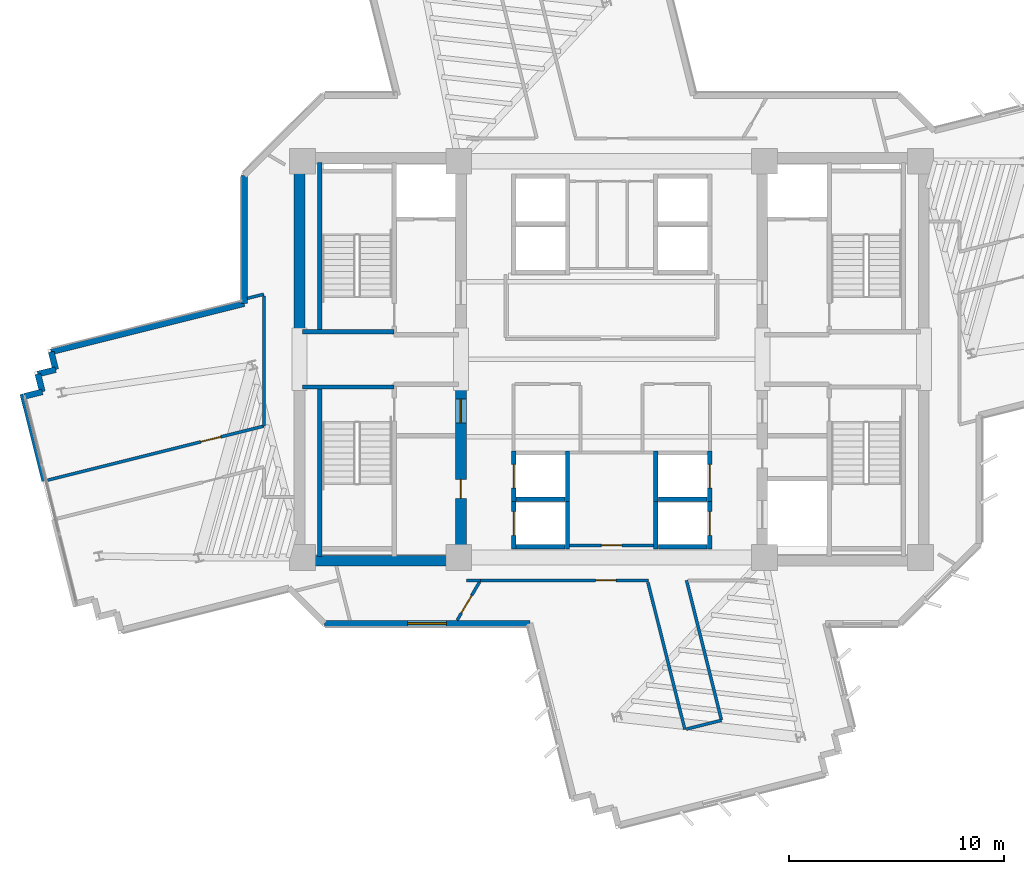
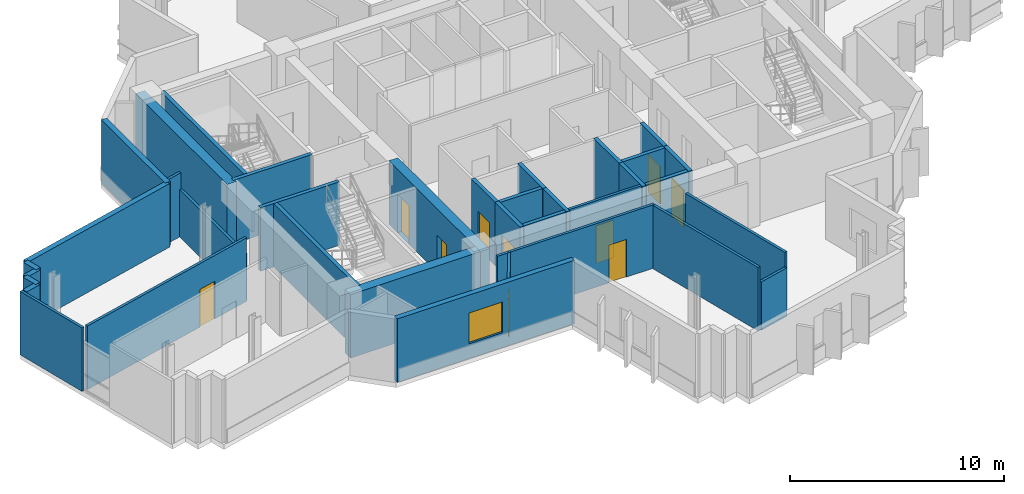
# One storey, part 6 of 13: 37 walls, 10 doors, 1 window, 11 openings.
"""IFC4 building model written with IfcOpenShell, lengths in metres."""

from ifc_helpers import new_model, si_unit, direction, frame, frame_2d, origin, place, context, subcontext, project, spatial, rectangle, extrude, source, transform, mapped, material, layer, layer_set, type_object, element, fill, save


model = new_model("IFC4")

# Units and contexts
model_context = context("Model", 3, precision=1e-05, world=origin(), true_north=direction((0.0, 1.0)))
body_context = subcontext(model_context, "Body", "Model", "MODEL_VIEW")
ifc_project = project(units=[si_unit("LENGTHUNIT", "METRE"), si_unit("AREAUNIT", "SQUARE_METRE"), si_unit("VOLUMEUNIT", "CUBIC_METRE"), si_unit("PLANEANGLEUNIT", "RADIAN"), si_unit("MASSUNIT", "GRAM", prefix="KILO")], contexts=[model_context])

# Site, building, storey
site_placement = place(None, origin())
site = spatial("IfcSite", under=ifc_project, at=site_placement, CompositionType="ELEMENT")
building_placement = place(site_placement, origin())
building = spatial("IfcBuilding", under=site, at=building_placement, Name="Zahravan Cultural Tower", CompositionType="ELEMENT")
storey_placement = place(building_placement, frame((0.0, 0.0, 186.300048828125)))
storey = spatial("IfcBuildingStorey", under=building, at=storey_placement, Name="L43", CompositionType="ELEMENT", Elevation=186.300048828125)

# Wall, openings, doors
ifc_material_1 = material(Name="Concrete C60/75", Category="concrete")
ifc_layer_1 = layer(ifc_material_1, 0.5)
ifc_layer_set_1 = layer_set([ifc_layer_1], Name="Concrete C60/75")
wall_type_1 = type_object("IfcWallType", Name="CW-SHEAR-500-C60", PredefinedType="SHEAR", material=ifc_layer_set_1)
wall_1_placement = place(storey_placement, frame((29.0, 17.39990234375, 0.0), z_axis=(0.0, 0.0, 1.0), x_axis=(0.0, 1.0, 0.0)))
wall_1 = element("IfcWall", 1, at=wall_1_placement, inside=storey, type_object=wall_type_1, Name="L43 Core Shear Wall CW-W-ES-L43", PredefinedType="SHEAR", context=body_context, shape_type="SweptSolid", body=[
    extrude(rectangle(XDim=8.550048828125, YDim=0.5, at=frame_2d((4.27490234375, 0.0))), origin(), (0.0, 0.0, 1.0), 3.619873046875),
])
opening_1_placement = place(wall_1_placement, frame((6.64990234375, 0.0, 0.0)))
opening_1 = element("IfcOpeningElement", 2, at=opening_1_placement, cuts=wall_1, Name="Opening D-L43-07", PredefinedType="OPENING", context=body_context, shape_type="SweptSolid", body=[
    extrude(rectangle(XDim=1.10009765625, YDim=2.199951171875, at=frame_2d((0.550048828125, 1.10009765625))), frame((0.0, 0.260009765625, 0.0), z_axis=(0.0, -1.0, 0.0), x_axis=(1.0, 0.0, 0.0)), (0.0, 0.0, 1.0), 0.52001953125),
])
opening_2_placement = place(wall_1_placement, frame((3.14990234375, 0.0, 0.0)))
opening_2 = element("IfcOpeningElement", 3, at=opening_2_placement, cuts=wall_1, Name="Opening D-L43-09", PredefinedType="OPENING", context=body_context, shape_type="SweptSolid", body=[
    extrude(rectangle(XDim=0.8798828125, YDim=2.10009765625, at=frame_2d((0.43994140625, 1.050048828125))), frame((0.0, 0.260009765625, 0.0), z_axis=(0.0, -1.0, 0.0), x_axis=(1.0, 0.0, 0.0)), (0.0, 0.0, 1.0), 0.52001953125),
])
ifc_material_2 = material(Name="Steel ASTM A572 Grade 50", Category="steel")
door_type_1 = type_object("IfcDoorType", Name="DR-LOBBY-1100", OperationType="NOTDEFINED", PredefinedType="DOOR", material=ifc_material_2)
shared_shape_1 = source(origin(), body_context, "Body", "SweptSolid", [
    extrude(rectangle(XDim=1.10009765625, YDim=2.199951171875, at=frame_2d((0.550048828125, 1.10009765625))), frame((0.0, 0.02490234375, 0.0), z_axis=(0.0, -1.0, 0.0), x_axis=(1.0, 0.0, 0.0)), (0.0, 0.0, 1.0), 0.050048828125),
])
door_1_placement = place(opening_1_placement, origin())
door_1 = element("IfcDoor", 4, at=door_1_placement, inside=storey, type_object=door_type_1, Name="L43 Door D-L43-07", OperationType="SINGLE_SWING_LEFT", OverallHeight=2.199951171875, OverallWidth=1.10009765625, PredefinedType="DOOR", context=body_context, shape_type="MappedRepresentation", body=[
    mapped(shared_shape_1, transform((0.0, 0.0, 0.0), x_axis=(1.0, 0.0, 0.0), y_axis=(0.0, 1.0, 0.0), z_axis=(0.0, 0.0, 1.0), scale=1.0)),
])
fill(opening_1, door_1)
door_type_2 = type_object("IfcDoorType", Name="DR-SVC-880", OperationType="NOTDEFINED", PredefinedType="DOOR", material=ifc_material_2)
shared_shape_2 = source(origin(), body_context, "Body", "SweptSolid", [
    extrude(rectangle(XDim=0.8798828125, YDim=2.10009765625, at=frame_2d((0.43994140625, 1.050048828125))), frame((0.0, 0.02490234375, 0.0), z_axis=(0.0, -1.0, 0.0), x_axis=(1.0, 0.0, 0.0)), (0.0, 0.0, 1.0), 0.050048828125),
])
door_2_placement = place(opening_2_placement, origin())
door_2 = element("IfcDoor", 5, at=door_2_placement, inside=storey, type_object=door_type_2, Name="L43 Door D-L43-09", OperationType="SINGLE_SWING_LEFT", OverallHeight=2.10009765625, OverallWidth=0.8798828125, PredefinedType="DOOR", context=body_context, shape_type="MappedRepresentation", body=[
    mapped(shared_shape_2, transform((0.0, 0.0, 0.0), x_axis=(1.0, 0.0, 0.0), y_axis=(0.0, 1.0, 0.0), z_axis=(0.0, 0.0, 1.0), scale=1.0)),
])
fill(opening_2, door_2)

# Wall, opening, window
ifc_material_3 = material(Name="Precast concrete C40/50", Category="concrete")
ifc_layer_2 = layer(ifc_material_3, 0.280029296875)
ifc_layer_set_2 = layer_set([ifc_layer_2], Name="Precast concrete C40/50")
wall_type_2 = type_object("IfcWallType", Name="EW-TC-280", PredefinedType="SOLIDWALL", material=ifc_layer_set_2)
wall_2_placement = place(storey_placement, frame((32.204833984375, 14.739990234375, 0.0), z_axis=(0.0, 0.0, 1.0), x_axis=(-1.0, 0.0, 0.0)))
wall_2 = element("IfcWall", 6, at=wall_2_placement, inside=storey, type_object=wall_type_2, Name="L43 Exterior Masonry Frame Wall 25", PredefinedType="SOLIDWALL", context=body_context, shape_type="SweptSolid", body=[
    extrude(rectangle(XDim=9.546875, YDim=0.280029296875, at=frame_2d((4.7734375, 0.0))), origin(), (0.0, 0.0, 1.0), 3.619873046875),
])
opening_3_placement = place(wall_2_placement, frame((3.873046875, 0.0, 0.85009765625)))
opening_3 = element("IfcOpeningElement", 7, at=opening_3_placement, cuts=wall_2, Name="Opening WN-02", PredefinedType="OPENING", context=body_context, shape_type="SweptSolid", body=[
    extrude(rectangle(XDim=1.800048828125, YDim=1.75, at=frame_2d((0.89990234375, 0.875))), frame((0.0, 0.14990234375, 0.0), z_axis=(0.0, -1.0, 0.0), x_axis=(1.0, 0.0, 0.0)), (0.0, 0.0, 1.0), 0.300048828125),
])
ifc_material_4 = material(Name="Low-E solar-control double glazing", Category="glass")
window_type = type_object("IfcWindowType", Name="WN-REC-1800X1750", PartitioningType="DOUBLE_PANEL_VERTICAL", PredefinedType="WINDOW", material=ifc_material_4)
shared_shape_3 = source(origin(), body_context, "Body", "SweptSolid", [
    extrude(rectangle(XDim=1.800048828125, YDim=1.75, at=frame_2d((0.89990234375, 0.875))), frame((0.0, 0.030029296875, 0.0), z_axis=(0.0, -1.0, 0.0), x_axis=(1.0, 0.0, 0.0)), (0.0, 0.0, 1.0), 0.06005859375),
])
window_placement = place(opening_3_placement, origin())
window = element("IfcWindow", 8, at=window_placement, inside=storey, type_object=window_type, Name="L43 Recessed Solar Window 08", OverallHeight=1.75, OverallWidth=1.800048828125, PartitioningType="DOUBLE_PANEL_VERTICAL", PredefinedType="WINDOW", context=body_context, shape_type="MappedRepresentation", body=[
    mapped(shared_shape_3, transform((0.0, 0.0, 0.0), x_axis=(1.0, 0.0, 0.0), y_axis=(0.0, 1.0, 0.0), z_axis=(0.0, 0.0, 1.0), scale=1.0)),
])
fill(opening_3, window)

# Wall, opening, door
ifc_material_5 = material(Name="Gypsum plasterboard partition")
ifc_layer_3 = layer(ifc_material_5, 0.139892578125)
ifc_layer_set_3 = layer_set([ifc_layer_3], Name="Gypsum plasterboard partition")
wall_type_3 = type_object("IfcWallType", Name="W-PART-140", PredefinedType="PARTITIONING", material=ifc_layer_set_3)
wall_3_placement = place(storey_placement, frame((29.8681640625, 16.6650390625, 0.0), z_axis=(0.0, 0.0, 1.0), x_axis=(-0.505011455642, -0.863112640198, 0.0)))
wall_3 = element("IfcWall", 9, at=wall_3_placement, inside=storey, type_object=wall_type_3, Name="L43 Interior Wall 072", PredefinedType="PARTITIONING", context=body_context, shape_type="SweptSolid", body=[
    extrude(rectangle(XDim=2.062255859375, YDim=0.139892578125, at=frame_2d((1.03125, 0.0))), origin(), (0.0, 0.0, 1.0), 3.619873046875),
])
opening_4_placement = place(wall_3_placement, frame((0.722900390625, 0.0, 0.0)))
opening_4 = element("IfcOpeningElement", 10, at=opening_4_placement, cuts=wall_3, Name="Opening D-L43-25", PredefinedType="OPENING", context=body_context, shape_type="SweptSolid", body=[
    extrude(rectangle(XDim=0.949951171875, YDim=2.14990234375, at=frame_2d((0.47509765625, 1.074951171875))), frame((0.0, 0.079833984375, 0.0), z_axis=(0.0, -1.0, 0.0), x_axis=(1.0, 0.0, 0.0)), (0.0, 0.0, 1.0), 0.159912109375),
])
ifc_material_6 = material(Name="Anodised bronze-aluminium mullion", Category="aluminium")
door_type_3 = type_object("IfcDoorType", Name="DR-ROOM-950", OperationType="NOTDEFINED", PredefinedType="DOOR", material=ifc_material_6)
shared_shape_4 = source(origin(), body_context, "Body", "SweptSolid", [
    extrude(rectangle(XDim=0.949951171875, YDim=2.14990234375, at=frame_2d((0.47509765625, 1.074951171875))), frame((0.0, 0.02490234375, 0.0), z_axis=(0.0, -1.0, 0.0), x_axis=(1.0, 0.0, 0.0)), (0.0, 0.0, 1.0), 0.050048828125),
])
door_3_placement = place(opening_4_placement, origin())
door_3 = element("IfcDoor", 11, at=door_3_placement, inside=storey, type_object=door_type_3, Name="L43 Door D-L43-25", OperationType="SINGLE_SWING_LEFT", OverallHeight=2.14990234375, OverallWidth=0.949951171875, PredefinedType="DOOR", context=body_context, shape_type="MappedRepresentation", body=[
    mapped(shared_shape_4, transform((0.0, 0.0, 0.0), x_axis=(1.0, 0.0, 0.0), y_axis=(0.0, 1.0, 0.0), z_axis=(0.0, 0.0, 1.0), scale=1.0)),
])
fill(opening_4, door_3)

wall_4_placement = place(storey_placement, frame((37.945068359375, 18.360107421875, 0.0), z_axis=(0.0, 0.0, 1.0), x_axis=(-1.0, 0.0, 0.0)))
wall_4 = element("IfcWall", 12, at=wall_4_placement, inside=storey, type_object=wall_type_3, Name="L43 Interior Wall 075", PredefinedType="PARTITIONING", context=body_context, shape_type="SweptSolid", body=[
    extrude(rectangle(XDim=3.89013671875, YDim=0.139892578125, at=frame_2d((1.945068359375, 0.0))), origin(), (0.0, 0.0, 1.0), 3.619873046875),
])
opening_5_placement = place(wall_4_placement, frame((1.469970703125, 0.0, 0.0)))
opening_5 = element("IfcOpeningElement", 13, at=opening_5_placement, cuts=wall_4, Name="Opening D-L43-17", PredefinedType="OPENING", context=body_context, shape_type="SweptSolid", body=[
    extrude(rectangle(XDim=0.949951171875, YDim=2.14990234375, at=frame_2d((0.47509765625, 1.074951171875))), frame((0.0, 0.079833984375, 0.0), z_axis=(0.0, -1.0, 0.0), x_axis=(1.0, 0.0, 0.0)), (0.0, 0.0, 1.0), 0.159912109375),
])
door_4_placement = place(opening_5_placement, origin())
door_4 = element("IfcDoor", 14, at=door_4_placement, inside=storey, type_object=door_type_3, Name="L43 Door D-L43-17", OperationType="SINGLE_SWING_LEFT", OverallHeight=2.14990234375, OverallWidth=0.949951171875, PredefinedType="DOOR", context=body_context, shape_type="MappedRepresentation", body=[
    mapped(shared_shape_4, transform((0.0, 0.0, 0.0), x_axis=(1.0, 0.0, 0.0), y_axis=(0.0, 1.0, 0.0), z_axis=(0.0, 0.0, 1.0), scale=1.0)),
])
fill(opening_5, door_4)

wall_5_placement = place(storey_placement, frame((19.85009765625, 23.90380859375, 0.0), z_axis=(0.0, 0.0, 1.0), x_axis=(-0.97004665335, -0.24291869077, 0.0)))
wall_5 = element("IfcWall", 15, at=wall_5_placement, inside=storey, type_object=wall_type_3, Name="L43 Interior Wall 096", PredefinedType="PARTITIONING", context=body_context, shape_type="SweptSolid", body=[
    extrude(rectangle(XDim=10.3466796875, YDim=0.139892578125, at=frame_2d((5.17333984375, 0.0))), origin(), (0.0, 0.0, 1.0), 3.619873046875),
])
opening_6_placement = place(wall_5_placement, frame((2.0673828125, 0.0, 0.0)))
opening_6 = element("IfcOpeningElement", 16, at=opening_6_placement, cuts=wall_5, Name="Opening D-L43-21", PredefinedType="OPENING", context=body_context, shape_type="SweptSolid", body=[
    extrude(rectangle(XDim=0.949951171875, YDim=2.14990234375, at=frame_2d((0.47509765625, 1.074951171875))), frame((0.0, 0.079833984375, 0.0), z_axis=(0.0, -1.0, 0.0), x_axis=(1.0, 0.0, 0.0)), (0.0, 0.0, 1.0), 0.159912109375),
])
door_5_placement = place(opening_6_placement, origin())
door_5 = element("IfcDoor", 17, at=door_5_placement, inside=storey, type_object=door_type_3, Name="L43 Door D-L43-21", OperationType="SINGLE_SWING_LEFT", OverallHeight=2.14990234375, OverallWidth=0.949951171875, PredefinedType="DOOR", context=body_context, shape_type="MappedRepresentation", body=[
    mapped(shared_shape_4, transform((0.0, 0.0, 0.0), x_axis=(1.0, 0.0, 0.0), y_axis=(0.0, 1.0, 0.0), z_axis=(0.0, 0.0, 1.0), scale=1.0)),
])
fill(opening_6, door_5)

wall_6_placement = place(storey_placement, frame((29.912109375, 16.739990234375, 0.0), z_axis=(0.0, 0.0, 1.0), x_axis=(1.0, 0.0, 0.0)))
wall_6 = element("IfcWall", 18, at=wall_6_placement, inside=storey, type_object=wall_type_3, Name="L43 Interior Wall 103", PredefinedType="PARTITIONING", context=body_context, shape_type="SweptSolid", body=[
    extrude(rectangle(XDim=7.806396484375, YDim=0.139892578125, at=frame_2d((3.9033203125, 0.0))), origin(), (0.0, 0.0, 1.0), 3.619873046875),
])
opening_7_placement = place(wall_6_placement, frame((5.34814453125, 0.0, 0.0)))
opening_7 = element("IfcOpeningElement", 19, at=opening_7_placement, cuts=wall_6, Name="Opening D-L43-23", PredefinedType="OPENING", context=body_context, shape_type="SweptSolid", body=[
    extrude(rectangle(XDim=0.949951171875, YDim=2.14990234375, at=frame_2d((0.47509765625, 1.074951171875))), frame((0.0, 0.079833984375, 0.0), z_axis=(0.0, -1.0, 0.0), x_axis=(1.0, 0.0, 0.0)), (0.0, 0.0, 1.0), 0.159912109375),
])
door_6_placement = place(opening_7_placement, origin())
door_6 = element("IfcDoor", 20, at=door_6_placement, inside=storey, type_object=door_type_3, Name="L43 Door D-L43-23", OperationType="SINGLE_SWING_LEFT", OverallHeight=2.14990234375, OverallWidth=0.949951171875, PredefinedType="DOOR", context=body_context, shape_type="MappedRepresentation", body=[
    mapped(shared_shape_4, transform((0.0, 0.0, 0.0), x_axis=(1.0, 0.0, 0.0), y_axis=(0.0, 1.0, 0.0), z_axis=(0.0, 0.0, 1.0), scale=1.0)),
])
fill(opening_7, door_6)

ifc_material_7 = material(Name="Concrete C45/55", Category="concrete")
ifc_layer_4 = layer(ifc_material_7, 0.199951171875)
ifc_layer_set_4 = layer_set([ifc_layer_4], Name="Concrete C45/55")
wall_type_4 = type_object("IfcWallType", Name="W-SHAFT-200", PredefinedType="SOLIDWALL", material=ifc_layer_set_4)
wall_7_placement = place(storey_placement, frame((31.449951171875, 20.39990234375, 0.0), z_axis=(0.0, 0.0, 1.0), x_axis=(0.0, 1.0, 0.0)))
wall_7 = element("IfcWall", 21, at=wall_7_placement, inside=storey, type_object=wall_type_4, Name="L43 Interior Wall 040", PredefinedType="SOLIDWALL", context=body_context, shape_type="SweptSolid", body=[
    extrude(rectangle(XDim=2.35009765625, YDim=0.199951171875, at=frame_2d((1.175048828125, 0.0))), origin(), (0.0, 0.0, 1.0), 3.619873046875),
])
opening_8_placement = place(wall_7_placement, frame((0.625, 0.0, 0.0)))
opening_8 = element("IfcOpeningElement", 22, at=opening_8_placement, cuts=wall_7, Name="Opening LD-L43-04", PredefinedType="OPENING", context=body_context, shape_type="SweptSolid", body=[
    extrude(rectangle(XDim=1.10009765625, YDim=2.14990234375, at=frame_2d((0.550048828125, 1.074951171875))), frame((0.0, 0.10986328125, 0.0), z_axis=(0.0, -1.0, 0.0), x_axis=(1.0, 0.0, 0.0)), (0.0, 0.0, 1.0), 0.219970703125),
])
door_type_4 = type_object("IfcDoorType", Name="DR-LIFT-1100", OperationType="DOUBLE_DOOR_SLIDING", PredefinedType="DOOR", material=ifc_material_2)
shared_shape_5 = source(origin(), body_context, "Body", "SweptSolid", [
    extrude(rectangle(XDim=1.10009765625, YDim=2.14990234375, at=frame_2d((0.550048828125, 1.074951171875))), frame((0.0, 0.02490234375, 0.0), z_axis=(0.0, -1.0, 0.0), x_axis=(1.0, 0.0, 0.0)), (0.0, 0.0, 1.0), 0.050048828125),
])
door_7_placement = place(opening_8_placement, origin())
door_7 = element("IfcDoor", 23, at=door_7_placement, inside=storey, type_object=door_type_4, Name="L43 Door LD-L43-04", OperationType="DOUBLE_DOOR_SLIDING", OverallHeight=2.14990234375, OverallWidth=1.10009765625, PredefinedType="DOOR", context=body_context, shape_type="MappedRepresentation", body=[
    mapped(shared_shape_5, transform((0.0, 0.0, 0.0), x_axis=(1.0, 0.0, 0.0), y_axis=(0.0, 1.0, 0.0), z_axis=(0.0, 0.0, 1.0), scale=1.0)),
])
fill(opening_8, door_7)

wall_8_placement = place(storey_placement, frame((31.449951171875, 18.199951171875, 0.0), z_axis=(0.0, 0.0, 1.0), x_axis=(0.0, 1.0, 0.0)))
wall_8 = element("IfcWall", 24, at=wall_8_placement, inside=storey, type_object=wall_type_4, Name="L43 Interior Wall 044", PredefinedType="SOLIDWALL", context=body_context, shape_type="SweptSolid", body=[
    extrude(rectangle(XDim=2.35009765625, YDim=0.199951171875, at=frame_2d((1.175048828125, 0.0))), origin(), (0.0, 0.0, 1.0), 3.619873046875),
])
opening_9_placement = place(wall_8_placement, frame((0.625, 0.0, 0.0)))
opening_9 = element("IfcOpeningElement", 25, at=opening_9_placement, cuts=wall_8, Name="Opening LD-L43-05", PredefinedType="OPENING", context=body_context, shape_type="SweptSolid", body=[
    extrude(rectangle(XDim=1.10009765625, YDim=2.14990234375, at=frame_2d((0.550048828125, 1.074951171875))), frame((0.0, 0.10986328125, 0.0), z_axis=(0.0, -1.0, 0.0), x_axis=(1.0, 0.0, 0.0)), (0.0, 0.0, 1.0), 0.219970703125),
])
door_8_placement = place(opening_9_placement, origin())
door_8 = element("IfcDoor", 26, at=door_8_placement, inside=storey, type_object=door_type_4, Name="L43 Door LD-L43-05", OperationType="DOUBLE_DOOR_SLIDING", OverallHeight=2.14990234375, OverallWidth=1.10009765625, PredefinedType="DOOR", context=body_context, shape_type="MappedRepresentation", body=[
    mapped(shared_shape_5, transform((0.0, 0.0, 0.0), x_axis=(1.0, 0.0, 0.0), y_axis=(0.0, 1.0, 0.0), z_axis=(0.0, 0.0, 1.0), scale=1.0)),
])
fill(opening_9, door_8)

wall_9_placement = place(storey_placement, frame((40.550048828125, 20.39990234375, 0.0), z_axis=(0.0, 0.0, 1.0), x_axis=(0.0, 1.0, 0.0)))
wall_9 = element("IfcWall", 27, at=wall_9_placement, inside=storey, type_object=wall_type_4, Name="L43 Interior Wall 048", PredefinedType="SOLIDWALL", context=body_context, shape_type="SweptSolid", body=[
    extrude(rectangle(XDim=2.35009765625, YDim=0.199951171875, at=frame_2d((1.175048828125, 0.0))), origin(), (0.0, 0.0, 1.0), 3.619873046875),
])
opening_10_placement = place(wall_9_placement, frame((0.625, 0.0, 0.0)))
opening_10 = element("IfcOpeningElement", 28, at=opening_10_placement, cuts=wall_9, Name="Opening LD-L43-06", PredefinedType="OPENING", context=body_context, shape_type="SweptSolid", body=[
    extrude(rectangle(XDim=1.10009765625, YDim=2.14990234375, at=frame_2d((0.550048828125, 1.074951171875))), frame((0.0, 0.10986328125, 0.0), z_axis=(0.0, -1.0, 0.0), x_axis=(1.0, 0.0, 0.0)), (0.0, 0.0, 1.0), 0.219970703125),
])
door_9_placement = place(opening_10_placement, origin())
door_9 = element("IfcDoor", 29, at=door_9_placement, inside=storey, type_object=door_type_4, Name="L43 Door LD-L43-06", OperationType="DOUBLE_DOOR_SLIDING", OverallHeight=2.14990234375, OverallWidth=1.10009765625, PredefinedType="DOOR", context=body_context, shape_type="MappedRepresentation", body=[
    mapped(shared_shape_5, transform((0.0, 0.0, 0.0), x_axis=(1.0, 0.0, 0.0), y_axis=(0.0, 1.0, 0.0), z_axis=(0.0, 0.0, 1.0), scale=1.0)),
])
fill(opening_10, door_9)

wall_10_placement = place(storey_placement, frame((40.550048828125, 18.199951171875, 0.0), z_axis=(0.0, 0.0, 1.0), x_axis=(0.0, 1.0, 0.0)))
wall_10 = element("IfcWall", 30, at=wall_10_placement, inside=storey, type_object=wall_type_4, Name="L43 Interior Wall 052", PredefinedType="SOLIDWALL", context=body_context, shape_type="SweptSolid", body=[
    extrude(rectangle(XDim=2.35009765625, YDim=0.199951171875, at=frame_2d((1.175048828125, 0.0))), origin(), (0.0, 0.0, 1.0), 3.619873046875),
])
opening_11_placement = place(wall_10_placement, frame((0.625, 0.0, 0.0)))
opening_11 = element("IfcOpeningElement", 31, at=opening_11_placement, cuts=wall_10, Name="Opening LD-L43-07", PredefinedType="OPENING", context=body_context, shape_type="SweptSolid", body=[
    extrude(rectangle(XDim=1.10009765625, YDim=2.14990234375, at=frame_2d((0.550048828125, 1.074951171875))), frame((0.0, 0.10986328125, 0.0), z_axis=(0.0, -1.0, 0.0), x_axis=(1.0, 0.0, 0.0)), (0.0, 0.0, 1.0), 0.219970703125),
])
door_10_placement = place(opening_11_placement, origin())
door_10 = element("IfcDoor", 32, at=door_10_placement, inside=storey, type_object=door_type_4, Name="L43 Door LD-L43-07", OperationType="DOUBLE_DOOR_SLIDING", OverallHeight=2.14990234375, OverallWidth=1.10009765625, PredefinedType="DOOR", context=body_context, shape_type="MappedRepresentation", body=[
    mapped(shared_shape_5, transform((0.0, 0.0, 0.0), x_axis=(1.0, 0.0, 0.0), y_axis=(0.0, 1.0, 0.0), z_axis=(0.0, 0.0, 1.0), scale=1.0)),
])
fill(opening_11, door_10)

# Walls
shared_shape_6 = source(origin(), body_context, "Body", "SweptSolid", [
    extrude(rectangle(XDim=8.550048828125, YDim=0.5, at=frame_2d((4.27490234375, 0.0))), origin(), (0.0, 0.0, 1.0), 3.619873046875),
])
wall_11_placement = place(storey_placement, frame((21.5, 28.050048828125, 0.0), z_axis=(0.0, 0.0, 1.0), x_axis=(0.0, 1.0, 0.0)))
element("IfcWall", 33, at=wall_11_placement, inside=storey, type_object=wall_type_1, Name="L43 Core Shear Wall CW-W-WN-L43", PredefinedType="SHEAR", context=body_context, shape_type="MappedRepresentation", body=[
    mapped(shared_shape_6, transform((0.0, 0.0, 0.0), x_axis=(1.0, 0.0, 0.0), y_axis=(0.0, 1.0, 0.0), z_axis=(0.0, 0.0, 1.0), scale=1.0)),
])
shared_shape_7 = source(origin(), body_context, "Body", "SweptSolid", [
    extrude(rectangle(XDim=7.0, YDim=0.5, at=frame_2d((3.5, 0.0))), origin(), (0.0, 0.0, 1.0), 3.619873046875),
])
wall_12_placement = place(storey_placement, frame((21.75, 17.64990234375, 0.0), z_axis=(0.0, 0.0, 1.0), x_axis=(1.0, 0.0, 0.0)))
element("IfcWall", 34, at=wall_12_placement, inside=storey, type_object=wall_type_1, Name="L43 Core Shear Wall CW-W-S-L43", PredefinedType="SHEAR", context=body_context, shape_type="MappedRepresentation", body=[
    mapped(shared_shape_7, transform((0.0, 0.0, 0.0), x_axis=(1.0, 0.0, 0.0), y_axis=(0.0, 1.0, 0.0), z_axis=(0.0, 0.0, 1.0), scale=1.0)),
])
shared_shape_8 = source(origin(), body_context, "Body", "SweptSolid", [
    extrude(rectangle(XDim=0.85009765625, YDim=0.280029296875, at=frame_2d((0.425048828125, 0.0))), origin(), (0.0, 0.0, 1.0), 3.619873046875),
])
wall_13_placement = place(storey_placement, frame((9.357666015625, 26.317138671875, 0.0), z_axis=(0.0, 0.0, 1.0), x_axis=(0.970041063326, 0.242941012307, 0.0)))
element("IfcWall", 35, at=wall_13_placement, inside=storey, type_object=wall_type_2, Name="L43 Exterior Masonry Frame Wall 34", PredefinedType="SOLIDWALL", context=body_context, shape_type="MappedRepresentation", body=[
    mapped(shared_shape_8, transform((0.0, 0.0, 0.0), x_axis=(1.0, 0.0, 0.0), y_axis=(0.0, 1.0, 0.0), z_axis=(0.0, 0.0, 1.0), scale=1.0)),
])
shared_shape_9 = source(origin(), body_context, "Body", "SweptSolid", [
    extrude(rectangle(XDim=0.849853515625, YDim=0.280029296875, at=frame_2d((0.4248046875, 0.0))), origin(), (0.0, 0.0, 1.0), 3.619873046875),
])
for number, where, z_axis, x_axis, name in (
    (36, (8.73974609375, 25.2861328125, 0.0), (0.0, 0.0, 1.0), (0.970024107708, 0.243008704507, 0.0), "L43 Exterior Masonry Frame Wall 32"),
    (37, (9.564208984375, 25.49267578125, 0.0), (0.0, 0.0, 1.0), (-0.243008704507, 0.970024107708, 0.0), "L43 Exterior Masonry Frame Wall 33"),
    (38, (10.182373046875, 26.523681640625, 0.0), (0.0, 0.0, 1.0), (-0.243008704507, 0.970024107708, 0.0), "L43 Exterior Masonry Frame Wall 35"),
):
    element("IfcWall", number, at=place(storey_placement, frame(where, z_axis=z_axis, x_axis=x_axis)), inside=storey, type_object=wall_type_2, Name=name, PredefinedType="SOLIDWALL", context=body_context, shape_type="MappedRepresentation", body=[
        mapped(shared_shape_9, transform((0.0, 0.0, 0.0), x_axis=(1.0, 0.0, 0.0), y_axis=(0.0, 1.0, 0.0), z_axis=(0.0, 0.0, 1.0), scale=1.0)),
    ])
shared_shape_10 = source(origin(), body_context, "Body", "SweptSolid", [
    extrude(rectangle(XDim=5.948974609375, YDim=0.280029296875, at=frame_2d((2.974609375, 0.0))), origin(), (0.0, 0.0, 1.0), 3.619873046875),
])
wall_14_placement = place(storey_placement, frame((18.93994140625, 29.593017578125, 0.0), z_axis=(0.0, 0.0, 1.0), x_axis=(0.0, 1.0, 0.0)))
element("IfcWall", 39, at=wall_14_placement, inside=storey, type_object=wall_type_2, Name="L43 Exterior Masonry Frame Wall 37", PredefinedType="SOLIDWALL", context=body_context, shape_type="MappedRepresentation", body=[
    mapped(shared_shape_10, transform((0.0, 0.0, 0.0), x_axis=(1.0, 0.0, 0.0), y_axis=(0.0, 1.0, 0.0), z_axis=(0.0, 0.0, 1.0), scale=1.0)),
])
shared_shape_11 = source(origin(), body_context, "Body", "SweptSolid", [
    extrude(rectangle(XDim=9.240966796875, YDim=0.280029296875, at=frame_2d((4.62060546875, 0.0))), origin(), (0.0, 0.0, 1.0), 3.619873046875),
])
wall_15_placement = place(storey_placement, frame((9.975830078125, 27.34814453125, 0.0), z_axis=(0.0, 0.0, 1.0), x_axis=(0.970044513566, 0.242927235402, 0.0)))
element("IfcWall", 40, at=wall_15_placement, inside=storey, type_object=wall_type_2, Name="L43 Exterior Masonry Frame Wall 36", PredefinedType="SOLIDWALL", context=body_context, shape_type="MappedRepresentation", body=[
    mapped(shared_shape_11, transform((0.0, 0.0, 0.0), x_axis=(1.0, 0.0, 0.0), y_axis=(0.0, 1.0, 0.0), z_axis=(0.0, 0.0, 1.0), scale=1.0)),
])
shared_shape_12 = source(origin(), body_context, "Body", "SweptSolid", [
    extrude(rectangle(XDim=7.869873046875, YDim=0.199951171875, at=frame_2d((3.93505859375, 0.0))), origin(), (0.0, 0.0, 1.0), 3.619873046875),
])
for number, where, z_axis, x_axis, name in (
    (41, (22.449951171875, 17.85009765625, 0.0), (0.0, 0.0, 1.0), (0.0, 1.0, 0.0), "L43 Interior Wall 001"),
    (42, (22.449951171875, 28.280029296875, 0.0), (0.0, 0.0, 1.0), (0.0, 1.0, 0.0), "L43 Interior Wall 002"),
):
    element("IfcWall", number, at=place(storey_placement, frame(where, z_axis=z_axis, x_axis=x_axis)), inside=storey, type_object=wall_type_4, Name=name, PredefinedType="SOLIDWALL", context=body_context, shape_type="MappedRepresentation", body=[
        mapped(shared_shape_12, transform((0.0, 0.0, 0.0), x_axis=(1.0, 0.0, 0.0), y_axis=(0.0, 1.0, 0.0), z_axis=(0.0, 0.0, 1.0), scale=1.0)),
    ])
shared_shape_13 = source(origin(), body_context, "Body", "SweptSolid", [
    extrude(rectangle(XDim=4.25, YDim=0.199951171875, at=frame_2d((2.125, 0.0))), origin(), (0.0, 0.0, 1.0), 3.619873046875),
])
for number, where, z_axis, x_axis, name in (
    (43, (21.64990234375, 25.715087890625, 0.0), (0.0, 0.0, 1.0), (1.0, 0.0, 0.0), "L43 Interior Wall 009"),
    (44, (21.64990234375, 28.284912109375, 0.0), (0.0, 0.0, 1.0), (1.0, 0.0, 0.0), "L43 Interior Wall 011"),
):
    element("IfcWall", number, at=place(storey_placement, frame(where, z_axis=z_axis, x_axis=x_axis)), inside=storey, type_object=wall_type_4, Name=name, PredefinedType="SOLIDWALL", context=body_context, shape_type="MappedRepresentation", body=[
        mapped(shared_shape_13, transform((0.0, 0.0, 0.0), x_axis=(1.0, 0.0, 0.0), y_axis=(0.0, 1.0, 0.0), z_axis=(0.0, 0.0, 1.0), scale=1.0)),
    ])
shared_shape_14 = source(origin(), body_context, "Body", "SweptSolid", [
    extrude(rectangle(XDim=2.260009765625, YDim=0.199951171875, at=frame_2d((1.1298828125, 0.0))), origin(), (0.0, 0.0, 1.0), 3.619873046875),
])
for number, where, z_axis, x_axis, name in (
    (45, (31.570068359375, 20.5, 0.0), (0.0, 0.0, 1.0), (1.0, 0.0, 0.0), "L43 Interior Wall 042"),
    (46, (31.570068359375, 18.300048828125, 0.0), (0.0, 0.0, 1.0), (1.0, 0.0, 0.0), "L43 Interior Wall 046"),
    (47, (38.169921875, 20.5, 0.0), (0.0, 0.0, 1.0), (1.0, 0.0, 0.0), "L43 Interior Wall 049"),
    (48, (38.169921875, 18.300048828125, 0.0), (0.0, 0.0, 1.0), (1.0, 0.0, 0.0), "L43 Interior Wall 053"),
):
    element("IfcWall", number, at=place(storey_placement, frame(where, z_axis=z_axis, x_axis=x_axis)), inside=storey, type_object=wall_type_4, Name=name, PredefinedType="SOLIDWALL", context=body_context, shape_type="MappedRepresentation", body=[
        mapped(shared_shape_14, transform((0.0, 0.0, 0.0), x_axis=(1.0, 0.0, 0.0), y_axis=(0.0, 1.0, 0.0), z_axis=(0.0, 0.0, 1.0), scale=1.0)),
    ])
shared_shape_15 = source(origin(), body_context, "Body", "SweptSolid", [
    extrude(rectangle(XDim=2.35009765625, YDim=0.199951171875, at=frame_2d((1.175048828125, 0.0))), origin(), (0.0, 0.0, 1.0), 3.619873046875),
])
for number, where, z_axis, x_axis, name in (
    (49, (33.949951171875, 20.39990234375, 0.0), (0.0, 0.0, 1.0), (0.0, 1.0, 0.0), "L43 Interior Wall 041"),
    (50, (33.949951171875, 18.199951171875, 0.0), (0.0, 0.0, 1.0), (0.0, 1.0, 0.0), "L43 Interior Wall 045"),
    (51, (38.050048828125, 20.39990234375, 0.0), (0.0, 0.0, 1.0), (0.0, 1.0, 0.0), "L43 Interior Wall 047"),
    (52, (38.050048828125, 18.199951171875, 0.0), (0.0, 0.0, 1.0), (0.0, 1.0, 0.0), "L43 Interior Wall 051"),
):
    element("IfcWall", number, at=place(storey_placement, frame(where, z_axis=z_axis, x_axis=x_axis)), inside=storey, type_object=wall_type_4, Name=name, PredefinedType="SOLIDWALL", context=body_context, shape_type="MappedRepresentation", body=[
        mapped(shared_shape_15, transform((0.0, 0.0, 0.0), x_axis=(1.0, 0.0, 0.0), y_axis=(0.0, 1.0, 0.0), z_axis=(0.0, 0.0, 1.0), scale=1.0)),
    ])
shared_shape_16 = source(origin(), body_context, "Body", "SweptSolid", [
    extrude(rectangle(XDim=4.16015625, YDim=0.139892578125, at=frame_2d((2.080078125, 0.0))), origin(), (0.0, 0.0, 1.0), 3.619873046875),
])
wall_16_placement = place(storey_placement, frame((9.604736328125, 21.337890625, 0.0), z_axis=(0.0, 0.0, 1.0), x_axis=(-0.242963670411, 0.970035388458, 0.0)))
element("IfcWall", 53, at=wall_16_placement, inside=storey, type_object=wall_type_3, Name="L43 Interior Wall 093", PredefinedType="PARTITIONING", context=body_context, shape_type="MappedRepresentation", body=[
    mapped(shared_shape_16, transform((0.0, 0.0, 0.0), x_axis=(1.0, 0.0, 0.0), y_axis=(0.0, 1.0, 0.0), z_axis=(0.0, 0.0, 1.0), scale=1.0)),
])
shared_shape_17 = source(origin(), body_context, "Body", "SweptSolid", [
    extrude(rectangle(XDim=0.65869140625, YDim=0.139892578125, at=frame_2d((0.329345703125, 0.0))), origin(), (0.0, 0.0, 1.0), 3.619873046875),
])
wall_17_placement = place(storey_placement, frame((29.25341796875, 16.740478515625, 0.0), z_axis=(0.0, 0.0, 1.0), x_axis=(0.999999725245, -0.000741289641, 0.0)))
element("IfcWall", 54, at=wall_17_placement, inside=storey, type_object=wall_type_3, Name="L43 Interior Wall 071", PredefinedType="PARTITIONING", context=body_context, shape_type="MappedRepresentation", body=[
    mapped(shared_shape_17, transform((0.0, 0.0, 0.0), x_axis=(1.0, 0.0, 0.0), y_axis=(0.0, 1.0, 0.0), z_axis=(0.0, 0.0, 1.0), scale=1.0)),
])
shared_shape_18 = source(origin(), body_context, "Body", "SweptSolid", [
    extrude(rectangle(XDim=0.788818359375, YDim=0.139892578125, at=frame_2d((0.39453125, 0.0))), origin(), (0.0, 0.0, 1.0), 3.619873046875),
])
wall_18_placement = place(storey_placement, frame((19.0849609375, 29.835693359375, 0.0), z_axis=(0.0, 0.0, 1.0), x_axis=(0.970033159667, 0.242972568711, 0.0)))
element("IfcWall", 55, at=wall_18_placement, inside=storey, type_object=wall_type_3, Name="L43 Interior Wall 094", PredefinedType="PARTITIONING", context=body_context, shape_type="MappedRepresentation", body=[
    mapped(shared_shape_18, transform((0.0, 0.0, 0.0), x_axis=(1.0, 0.0, 0.0), y_axis=(0.0, 1.0, 0.0), z_axis=(0.0, 0.0, 1.0), scale=1.0)),
])
shared_shape_19 = source(origin(), body_context, "Body", "SweptSolid", [
    extrude(rectangle(XDim=6.046142578125, YDim=0.139892578125, at=frame_2d((3.02294921875, 0.0))), origin(), (0.0, 0.0, 1.0), 2.69287109375),
])
wall_19_placement = place(storey_placement, frame((19.85009765625, 29.949951171875, 0.0), z_axis=(0.0, 0.0, 1.0), x_axis=(0.0, -1.0, 0.0)))
element("IfcWall", 56, at=wall_19_placement, inside=storey, type_object=wall_type_3, Name="L43 Interior Wall 095", PredefinedType="PARTITIONING", context=body_context, shape_type="MappedRepresentation", body=[
    mapped(shared_shape_19, transform((0.0, 0.0, 0.0), x_axis=(1.0, 0.0, 0.0), y_axis=(0.0, 1.0, 0.0), z_axis=(0.0, 0.0, 1.0), scale=1.0)),
])
shared_shape_20 = source(origin(), body_context, "Body", "SweptSolid", [
    extrude(rectangle(XDim=7.04296875, YDim=0.139892578125, at=frame_2d((3.521484375, 0.0))), origin(), (0.0, 0.0, 1.0), 3.619873046875),
])
wall_20_placement = place(storey_placement, frame((37.6865234375, 16.6435546875, 0.0), z_axis=(0.0, 0.0, 1.0), x_axis=(0.243587652837, -0.969878886968, 0.0)))
element("IfcWall", 57, at=wall_20_placement, inside=storey, type_object=wall_type_3, Name="L43 Interior Wall 104", PredefinedType="PARTITIONING", context=body_context, shape_type="MappedRepresentation", body=[
    mapped(shared_shape_20, transform((0.0, 0.0, 0.0), x_axis=(1.0, 0.0, 0.0), y_axis=(0.0, 1.0, 0.0), z_axis=(0.0, 0.0, 1.0), scale=1.0)),
])
shared_shape_21 = source(origin(), body_context, "Body", "SweptSolid", [
    extrude(rectangle(XDim=1.677734375, YDim=0.139892578125, at=frame_2d((0.8388671875, 0.0))), origin(), (0.0, 0.0, 1.0), 2.761962890625),
])
wall_21_placement = place(storey_placement, frame((39.474853515625, 9.8310546875, 0.0), z_axis=(0.0, 0.0, 1.0), x_axis=(0.969799114262, 0.243905059349, 0.0)))
element("IfcWall", 58, at=wall_21_placement, inside=storey, type_object=wall_type_3, Name="L43 Interior Wall 105", PredefinedType="PARTITIONING", context=body_context, shape_type="MappedRepresentation", body=[
    mapped(shared_shape_21, transform((0.0, 0.0, 0.0), x_axis=(1.0, 0.0, 0.0), y_axis=(0.0, 1.0, 0.0), z_axis=(0.0, 0.0, 1.0), scale=1.0)),
])
shared_shape_22 = source(origin(), body_context, "Body", "SweptSolid", [
    extrude(rectangle(XDim=6.68359375, YDim=0.139892578125, at=frame_2d((3.341796875, 0.0))), origin(), (0.0, 0.0, 1.0), 3.619873046875),
])
wall_22_placement = place(storey_placement, frame((41.097900390625, 10.255859375, 0.0), z_axis=(0.0, 0.0, 1.0), x_axis=(-0.24254421979, 0.970140351416, 0.0)))
element("IfcWall", 59, at=wall_22_placement, inside=storey, type_object=wall_type_3, Name="L43 Interior Wall 106", PredefinedType="PARTITIONING", context=body_context, shape_type="MappedRepresentation", body=[
    mapped(shared_shape_22, transform((0.0, 0.0, 0.0), x_axis=(1.0, 0.0, 0.0), y_axis=(0.0, 1.0, 0.0), z_axis=(0.0, 0.0, 1.0), scale=1.0)),
])

save(model, "model.ifc")
